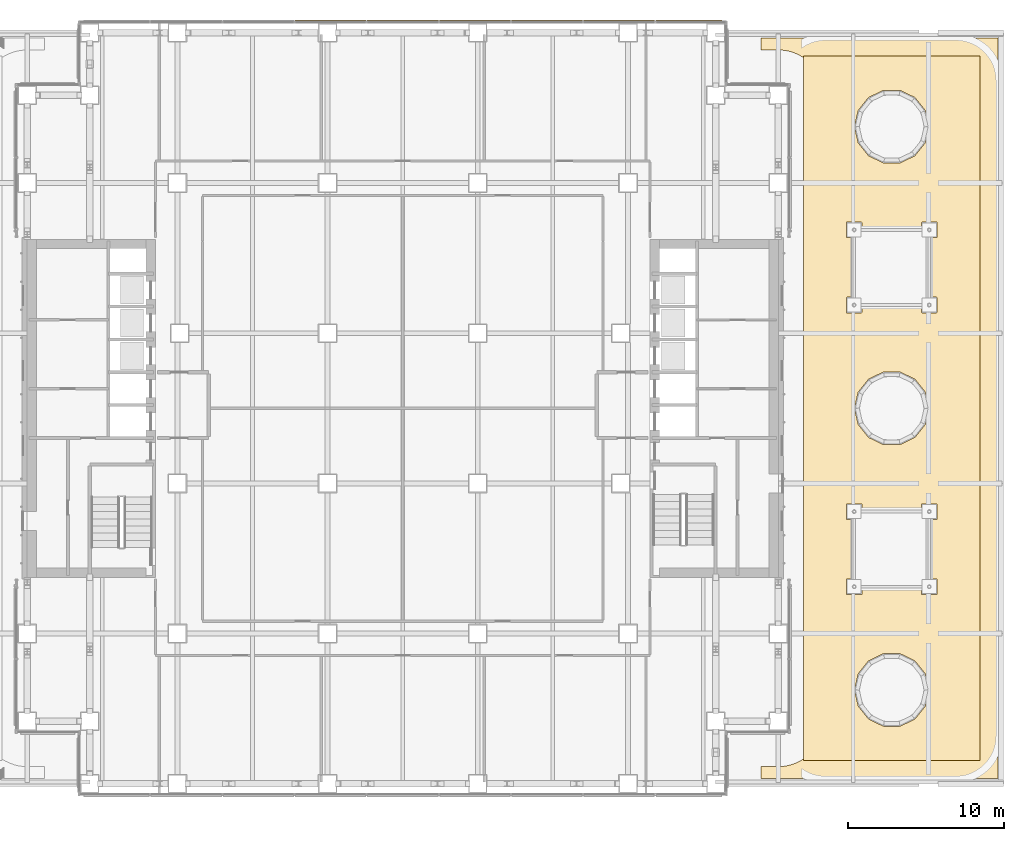
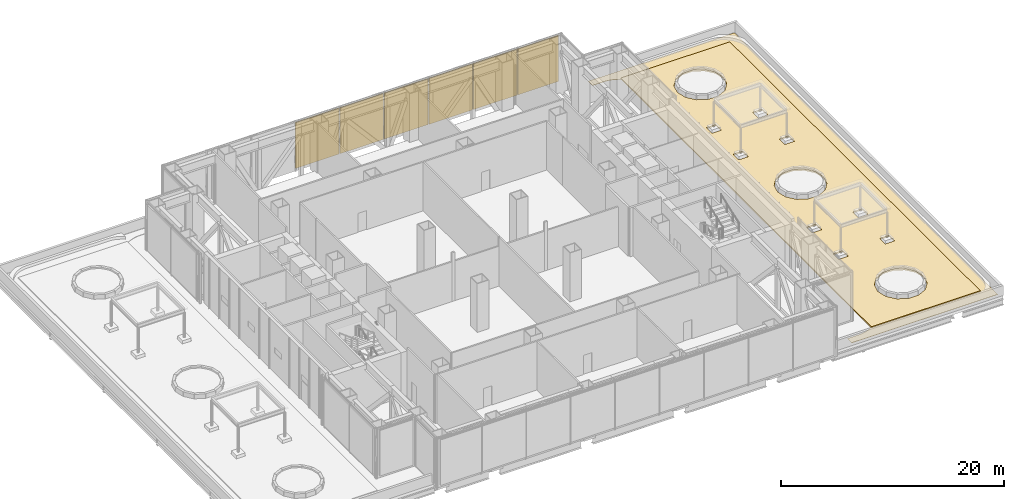
# One storey, part 37 of 39: 8 coverings.
"""IFC4 building model written with IfcOpenShell, lengths in metres."""

from ifc_helpers import new_model, si_unit, direction, frame, origin, origin_2d, place, context, subcontext, project, spatial, polyline, rectangle, outline, extrude, material, layer, layer_set, type_object, element, save


model = new_model("IFC4")

# Units and contexts
model_context = context("Model", 3, precision=1e-05, world=origin(), true_north=direction((0.0, 1.0)))
body_context = subcontext(model_context, "Body", "Model", "MODEL_VIEW")
ifc_project = project(units=[si_unit("LENGTHUNIT", "METRE"), si_unit("AREAUNIT", "SQUARE_METRE"), si_unit("VOLUMEUNIT", "CUBIC_METRE"), si_unit("PLANEANGLEUNIT", "RADIAN"), si_unit("MASSUNIT", "GRAM", prefix="KILO")], contexts=[model_context])

# Site, building, storey
site_placement = place(None, origin())
site = spatial("IfcSite", under=ifc_project, at=site_placement, CompositionType="ELEMENT")
building_placement = place(site_placement, origin())
building = spatial("IfcBuilding", under=site, at=building_placement, Name="Cobrizo Arcos Hotel Tower", CompositionType="ELEMENT")
storey_placement = place(building_placement, frame((0.0, 0.0, 33.5)))
storey = spatial("IfcBuildingStorey", under=building, at=storey_placement, Name="L06", CompositionType="ELEMENT", Elevation=33.5)

# Coverings
ifc_material_1 = material(Name="Aluminium 6063-T6 anodised bronze", Category="aluminium")
covering_type_1 = type_object("IfcCoveringType", Name="LV-1 plant louvre band", PredefinedType="CLADDING", material=ifc_material_1)
covering_1_placement = place(storey_placement, frame((18.29443359375, 24.7548828125, 0.25), z_axis=(0.0, 0.0, 1.0), x_axis=(-1.0, 0.0, 0.0)))
element("IfcCovering", 1, at=covering_1_placement, inside=storey, type_object=covering_type_1, Name="louvre band 342", PredefinedType="CLADDING", context=body_context, shape_type="SweptSolid", body=[
    extrude(rectangle(XDim=4.211181640625, YDim=0.1201171875, at=origin_2d()), origin(), (0.0, 0.0, 1.0), 5.0),
])
for number, where, z_axis, x_axis, name in (
    (2, (13.833251953125, 24.7548828125, 0.25), (0.0, 0.0, 1.0), (-1.0, 0.0, 0.0), "louvre band 343"),
    (3, (9.22216796875, 24.7548828125, 0.25), (0.0, 0.0, 1.0), (-1.0, 0.0, 0.0), "louvre band 344"),
    (4, (4.611083984375, 24.7548828125, 0.25), (0.0, 0.0, 1.0), (-1.0, 0.0, 0.0), "louvre band 345"),
    (5, (0.0, 24.7548828125, 0.25), (0.0, 0.0, 1.0), (-1.0, 0.0, 0.0), "louvre band 346"),
    (6, (-4.611083984375, 24.7548828125, 0.25), (0.0, 0.0, 1.0), (-1.0, 0.0, 0.0), "louvre band 347"),
):
    element("IfcCovering", number, at=place(storey_placement, frame(where, z_axis=z_axis, x_axis=x_axis)), inside=storey, type_object=covering_type_1, Name=name, PredefinedType="CLADDING", context=body_context, shape_type="SweptSolid", body=[
        extrude(rectangle(XDim=4.51123046875, YDim=0.1201171875, at=origin_2d()), origin(), (0.0, 0.0, 1.0), 5.0),
    ])
ifc_material_2 = material(Name="Granite paving on sand bed", Category="masonry")
ifc_layer_1 = layer(ifc_material_2, 0.14990234375)
ifc_layer_set_1 = layer_set([ifc_layer_1], Name="PG-5 terrace paving 150")
covering_type_2 = type_object("IfcCoveringType", Name="PG-5 terrace paving 150", PredefinedType="FLOORING", material=ifc_layer_set_1)
covering_2_placement = place(storey_placement, origin())
element("IfcCovering", 7, at=covering_2_placement, inside=storey, type_object=covering_type_2, Name="Terrace paving 1", PredefinedType="FLOORING", context=body_context, shape_type="SweptSolid", body=[
    extrude(outline(polyline([(36.89990234375, -22.5), (25.60009765625, -22.5), (25.60009765625, 22.5), (36.89990234375, 22.5), (36.89990234375, -22.5)]), holes=[polyline([(33.190185546875, -11.89892578125), (33.195068359375, -11.89990234375), (33.199951171875, -11.89990234375), (34.10009765625, -11.89990234375), (34.10498046875, -11.89990234375), (34.10986328125, -11.89892578125), (34.114501953125, -11.897705078125), (34.119140625, -11.896240234375), (34.12353515625, -11.89404296875), (34.127685546875, -11.8916015625), (34.131591796875, -11.888671875), (34.135498046875, -11.885498046875), (34.138671875, -11.881591796875), (34.1416015625, -11.877685546875), (34.14404296875, -11.87353515625), (34.146240234375, -11.869140625), (34.147705078125, -11.864501953125), (34.14892578125, -11.85986328125), (34.14990234375, -11.85498046875), (34.14990234375, -11.85009765625), (34.14990234375, -10.949951171875), (34.14990234375, -10.945068359375), (34.14892578125, -10.940185546875), (34.147705078125, -10.935546875), (34.146240234375, -10.930908203125), (34.14404296875, -10.926513671875), (34.1416015625, -10.922119140625), (34.138671875, -10.918212890625), (34.135498046875, -10.91455078125), (34.131591796875, -10.911376953125), (34.127685546875, -10.908447265625), (34.12353515625, -10.906005859375), (34.119140625, -10.90380859375), (34.114501953125, -10.902099609375), (34.10986328125, -10.90087890625), (34.10498046875, -10.900146484375), (34.10009765625, -10.89990234375), (33.199951171875, -10.89990234375), (33.195068359375, -10.900146484375), (33.190185546875, -10.90087890625), (33.185546875, -10.902099609375), (33.180908203125, -10.90380859375), (33.176513671875, -10.906005859375), (33.172119140625, -10.908447265625), (33.168212890625, -10.911376953125), (33.16455078125, -10.91455078125), (33.161376953125, -10.918212890625), (33.158447265625, -10.922119140625), (33.156005859375, -10.926513671875), (33.15380859375, -10.930908203125), (33.152099609375, -10.935546875), (33.15087890625, -10.940185546875), (33.150146484375, -10.945068359375), (33.14990234375, -10.949951171875), (33.14990234375, -11.85009765625), (33.150146484375, -11.85498046875), (33.15087890625, -11.85986328125), (33.152099609375, -11.864501953125), (33.15380859375, -11.869140625), (33.156005859375, -11.87353515625), (33.158447265625, -11.877685546875), (33.161376953125, -11.881591796875), (33.16455078125, -11.885498046875), (33.168212890625, -11.888671875), (33.172119140625, -11.8916015625), (33.176513671875, -11.89404296875), (33.180908203125, -11.896240234375), (33.185546875, -11.897705078125), (33.190185546875, -11.89892578125)]), polyline([(33.185546875, 10.902099609375), (33.190185546875, 10.90087890625), (33.195068359375, 10.900146484375), (33.199951171875, 10.89990234375), (34.10009765625, 10.89990234375), (34.10498046875, 10.900146484375), (34.10986328125, 10.90087890625), (34.114501953125, 10.902099609375), (34.119140625, 10.90380859375), (34.12353515625, 10.906005859375), (34.127685546875, 10.908447265625), (34.131591796875, 10.911376953125), (34.135498046875, 10.91455078125), (34.138671875, 10.918212890625), (34.1416015625, 10.922119140625), (34.14404296875, 10.926513671875), (34.146240234375, 10.930908203125), (34.147705078125, 10.935546875), (34.14892578125, 10.940185546875), (34.14990234375, 10.945068359375), (34.14990234375, 10.949951171875), (34.14990234375, 11.85009765625), (34.14990234375, 11.85498046875), (34.14892578125, 11.85986328125), (34.147705078125, 11.864501953125), (34.146240234375, 11.869140625), (34.14404296875, 11.87353515625), (34.1416015625, 11.877685546875), (34.138671875, 11.881591796875), (34.135498046875, 11.885498046875), (34.131591796875, 11.888671875), (34.127685546875, 11.8916015625), (34.12353515625, 11.89404296875), (34.119140625, 11.896240234375), (34.114501953125, 11.897705078125), (34.10986328125, 11.89892578125), (34.10498046875, 11.89990234375), (34.10009765625, 11.89990234375), (33.199951171875, 11.89990234375), (33.195068359375, 11.89990234375), (33.190185546875, 11.89892578125), (33.185546875, 11.897705078125), (33.180908203125, 11.896240234375), (33.176513671875, 11.89404296875), (33.172119140625, 11.8916015625), (33.168212890625, 11.888671875), (33.16455078125, 11.885498046875), (33.161376953125, 11.881591796875), (33.158447265625, 11.877685546875), (33.156005859375, 11.87353515625), (33.15380859375, 11.869140625), (33.152099609375, 11.864501953125), (33.15087890625, 11.85986328125), (33.150146484375, 11.85498046875), (33.14990234375, 11.85009765625), (33.14990234375, 10.949951171875), (33.150146484375, 10.945068359375), (33.15087890625, 10.940185546875), (33.152099609375, 10.935546875), (33.15380859375, 10.930908203125), (33.156005859375, 10.926513671875), (33.158447265625, 10.922119140625), (33.161376953125, 10.918212890625), (33.16455078125, 10.91455078125), (33.168212890625, 10.911376953125), (33.172119140625, 10.908447265625), (33.176513671875, 10.906005859375), (33.180908203125, 10.90380859375), (33.185546875, 10.902099609375)]), polyline([(33.185546875, 6.102294921875), (33.190185546875, 6.10107421875), (33.195068359375, 6.10009765625), (33.199951171875, 6.10009765625), (34.10009765625, 6.10009765625), (34.10498046875, 6.10009765625), (34.10986328125, 6.10107421875), (34.114501953125, 6.102294921875), (34.119140625, 6.103759765625), (34.12353515625, 6.10595703125), (34.127685546875, 6.1083984375), (34.131591796875, 6.111328125), (34.135498046875, 6.114501953125), (34.138671875, 6.118408203125), (34.1416015625, 6.122314453125), (34.14404296875, 6.12646484375), (34.146240234375, 6.130859375), (34.147705078125, 6.135498046875), (34.14892578125, 6.14013671875), (34.14990234375, 6.14501953125), (34.14990234375, 6.14990234375), (34.14990234375, 7.050048828125), (34.14990234375, 7.054931640625), (34.14892578125, 7.059814453125), (34.147705078125, 7.064453125), (34.146240234375, 7.069091796875), (34.14404296875, 7.073486328125), (34.1416015625, 7.077880859375), (34.138671875, 7.081787109375), (34.135498046875, 7.08544921875), (34.131591796875, 7.088623046875), (34.127685546875, 7.091552734375), (34.12353515625, 7.093994140625), (34.119140625, 7.09619140625), (34.114501953125, 7.097900390625), (34.10986328125, 7.09912109375), (34.10498046875, 7.099853515625), (34.10009765625, 7.10009765625), (33.199951171875, 7.10009765625), (33.195068359375, 7.099853515625), (33.190185546875, 7.09912109375), (33.185546875, 7.097900390625), (33.180908203125, 7.09619140625), (33.176513671875, 7.093994140625), (33.172119140625, 7.091552734375), (33.168212890625, 7.088623046875), (33.16455078125, 7.08544921875), (33.161376953125, 7.081787109375), (33.158447265625, 7.077880859375), (33.156005859375, 7.073486328125), (33.15380859375, 7.069091796875), (33.152099609375, 7.064453125), (33.15087890625, 7.059814453125), (33.150146484375, 7.054931640625), (33.14990234375, 7.050048828125), (33.14990234375, 6.14990234375), (33.150146484375, 6.14501953125), (33.15087890625, 6.14013671875), (33.152099609375, 6.135498046875), (33.15380859375, 6.130859375), (33.156005859375, 6.12646484375), (33.158447265625, 6.122314453125), (33.161376953125, 6.118408203125), (33.16455078125, 6.114501953125), (33.168212890625, 6.111328125), (33.172119140625, 6.1083984375), (33.176513671875, 6.10595703125), (33.180908203125, 6.103759765625), (33.185546875, 6.102294921875)]), polyline([(33.185546875, -7.097900390625), (33.190185546875, -7.09912109375), (33.195068359375, -7.099853515625), (33.199951171875, -7.10009765625), (34.10009765625, -7.10009765625), (34.10498046875, -7.099853515625), (34.10986328125, -7.09912109375), (34.114501953125, -7.097900390625), (34.119140625, -7.09619140625), (34.12353515625, -7.093994140625), (34.127685546875, -7.091552734375), (34.131591796875, -7.088623046875), (34.135498046875, -7.08544921875), (34.138671875, -7.081787109375), (34.1416015625, -7.077880859375), (34.14404296875, -7.073486328125), (34.146240234375, -7.069091796875), (34.147705078125, -7.064453125), (34.14892578125, -7.059814453125), (34.14990234375, -7.054931640625), (34.14990234375, -7.050048828125), (34.14990234375, -6.14990234375), (34.14990234375, -6.14501953125), (34.14892578125, -6.14013671875), (34.147705078125, -6.135498046875), (34.146240234375, -6.130859375), (34.14404296875, -6.12646484375), (34.1416015625, -6.122314453125), (34.138671875, -6.118408203125), (34.135498046875, -6.114501953125), (34.131591796875, -6.111328125), (34.127685546875, -6.1083984375), (34.12353515625, -6.10595703125), (34.119140625, -6.103759765625), (34.114501953125, -6.102294921875), (34.10986328125, -6.10107421875), (34.10498046875, -6.10009765625), (34.10009765625, -6.10009765625), (33.199951171875, -6.10009765625), (33.195068359375, -6.10009765625), (33.190185546875, -6.10107421875), (33.185546875, -6.102294921875), (33.180908203125, -6.103759765625), (33.176513671875, -6.10595703125), (33.172119140625, -6.1083984375), (33.168212890625, -6.111328125), (33.16455078125, -6.114501953125), (33.161376953125, -6.118408203125), (33.158447265625, -6.122314453125), (33.156005859375, -6.12646484375), (33.15380859375, -6.130859375), (33.152099609375, -6.135498046875), (33.15087890625, -6.14013671875), (33.150146484375, -6.14501953125), (33.14990234375, -6.14990234375), (33.14990234375, -7.050048828125), (33.150146484375, -7.054931640625), (33.15087890625, -7.059814453125), (33.152099609375, -7.064453125), (33.15380859375, -7.069091796875), (33.156005859375, -7.073486328125), (33.158447265625, -7.077880859375), (33.161376953125, -7.081787109375), (33.16455078125, -7.08544921875), (33.168212890625, -7.088623046875), (33.172119140625, -7.091552734375), (33.176513671875, -7.093994140625), (33.180908203125, -7.09619140625), (33.185546875, -7.097900390625)]), polyline([(33.39306640625, -1.023193359375), (33.398681640625, -1.008544921875), (33.402587890625, -0.993408203125), (33.62060546875, -0.038818359375), (33.623291015625, -0.0234375), (33.624755859375, -0.0078125), (33.624755859375, 0.0078125), (33.623291015625, 0.0234375), (33.62060546875, 0.038818359375), (33.402587890625, 0.993408203125), (33.398681640625, 1.008544921875), (33.39306640625, 1.023193359375), (33.38623046875, 1.03759765625), (33.378173828125, 1.051025390625), (33.368896484375, 1.063720703125), (32.758544921875, 1.8291015625), (32.748291015625, 1.841064453125), (32.73681640625, 1.851806640625), (32.724609375, 1.861572265625), (32.71142578125, 1.870361328125), (32.697509765625, 1.877685546875), (31.8154296875, 2.302490234375), (31.801025390625, 2.30859375), (31.7861328125, 2.3134765625), (31.770751953125, 2.31689453125), (31.755126953125, 2.319091796875), (31.739501953125, 2.31982421875), (30.760498046875, 2.31982421875), (30.744873046875, 2.319091796875), (30.729248046875, 2.31689453125), (30.7138671875, 2.3134765625), (30.698974609375, 2.30859375), (30.6845703125, 2.302490234375), (29.802490234375, 1.877685546875), (29.78857421875, 1.870361328125), (29.775390625, 1.861572265625), (29.76318359375, 1.851806640625), (29.751708984375, 1.841064453125), (29.741455078125, 1.8291015625), (29.131103515625, 1.063720703125), (29.121826171875, 1.051025390625), (29.11376953125, 1.03759765625), (29.10693359375, 1.023193359375), (29.101318359375, 1.008544921875), (29.097412109375, 0.993408203125), (28.87939453125, 0.038818359375), (28.876708984375, 0.0234375), (28.875244140625, 0.0078125), (28.875244140625, -0.0078125), (28.876708984375, -0.0234375), (28.87939453125, -0.038818359375), (29.097412109375, -0.993408203125), (29.101318359375, -1.008544921875), (29.10693359375, -1.023193359375), (29.11376953125, -1.03759765625), (29.121826171875, -1.051025390625), (29.131103515625, -1.063720703125), (29.741455078125, -1.8291015625), (29.751708984375, -1.841064453125), (29.76318359375, -1.851806640625), (29.775390625, -1.861572265625), (29.78857421875, -1.870361328125), (29.802490234375, -1.877685546875), (30.6845703125, -2.302490234375), (30.698974609375, -2.30859375), (30.7138671875, -2.3134765625), (30.729248046875, -2.31689453125), (30.744873046875, -2.319091796875), (30.760498046875, -2.31982421875), (31.739501953125, -2.31982421875), (31.755126953125, -2.319091796875), (31.770751953125, -2.31689453125), (31.7861328125, -2.3134765625), (31.801025390625, -2.30859375), (31.8154296875, -2.302490234375), (32.697509765625, -1.877685546875), (32.71142578125, -1.870361328125), (32.724609375, -1.861572265625), (32.73681640625, -1.851806640625), (32.748291015625, -1.841064453125), (32.758544921875, -1.8291015625), (33.368896484375, -1.063720703125), (33.378173828125, -1.051025390625), (33.38623046875, -1.03759765625), (33.39306640625, -1.023193359375)]), polyline([(33.39306640625, -19.023193359375), (33.398681640625, -19.008544921875), (33.402587890625, -18.993408203125), (33.62060546875, -18.038818359375), (33.623291015625, -18.0234375), (33.624755859375, -18.0078125), (33.624755859375, -17.9921875), (33.623291015625, -17.9765625), (33.62060546875, -17.961181640625), (33.402587890625, -17.006591796875), (33.398681640625, -16.991455078125), (33.39306640625, -16.976806640625), (33.38623046875, -16.96240234375), (33.378173828125, -16.948974609375), (33.368896484375, -16.936279296875), (32.758544921875, -16.1708984375), (32.748291015625, -16.158935546875), (32.73681640625, -16.148193359375), (32.724609375, -16.138427734375), (32.71142578125, -16.129638671875), (32.697509765625, -16.122314453125), (31.8154296875, -15.697509765625), (31.801025390625, -15.69140625), (31.7861328125, -15.6865234375), (31.770751953125, -15.68310546875), (31.755126953125, -15.680908203125), (31.739501953125, -15.68017578125), (30.760498046875, -15.68017578125), (30.744873046875, -15.680908203125), (30.729248046875, -15.68310546875), (30.7138671875, -15.6865234375), (30.698974609375, -15.69140625), (30.6845703125, -15.697509765625), (29.802490234375, -16.122314453125), (29.78857421875, -16.129638671875), (29.775390625, -16.138427734375), (29.76318359375, -16.148193359375), (29.751708984375, -16.158935546875), (29.741455078125, -16.1708984375), (29.131103515625, -16.936279296875), (29.121826171875, -16.948974609375), (29.11376953125, -16.96240234375), (29.10693359375, -16.976806640625), (29.101318359375, -16.991455078125), (29.097412109375, -17.006591796875), (28.87939453125, -17.961181640625), (28.876708984375, -17.9765625), (28.875244140625, -17.9921875), (28.875244140625, -18.0078125), (28.876708984375, -18.0234375), (28.87939453125, -18.038818359375), (29.097412109375, -18.993408203125), (29.101318359375, -19.008544921875), (29.10693359375, -19.023193359375), (29.11376953125, -19.03759765625), (29.121826171875, -19.051025390625), (29.131103515625, -19.063720703125), (29.741455078125, -19.8291015625), (29.751708984375, -19.841064453125), (29.76318359375, -19.851806640625), (29.775390625, -19.861572265625), (29.78857421875, -19.870361328125), (29.802490234375, -19.877685546875), (30.6845703125, -20.302490234375), (30.698974609375, -20.30859375), (30.7138671875, -20.3134765625), (30.729248046875, -20.31689453125), (30.744873046875, -20.319091796875), (30.760498046875, -20.31982421875), (31.739501953125, -20.31982421875), (31.755126953125, -20.319091796875), (31.770751953125, -20.31689453125), (31.7861328125, -20.3134765625), (31.801025390625, -20.30859375), (31.8154296875, -20.302490234375), (32.697509765625, -19.877685546875), (32.71142578125, -19.870361328125), (32.724609375, -19.861572265625), (32.73681640625, -19.851806640625), (32.748291015625, -19.841064453125), (32.758544921875, -19.8291015625), (33.368896484375, -19.063720703125), (33.378173828125, -19.051025390625), (33.38623046875, -19.03759765625), (33.39306640625, -19.023193359375)]), polyline([(33.38623046875, 16.96240234375), (33.39306640625, 16.976806640625), (33.398681640625, 16.991455078125), (33.402587890625, 17.006591796875), (33.62060546875, 17.961181640625), (33.623291015625, 17.9765625), (33.624755859375, 17.9921875), (33.624755859375, 18.0078125), (33.623291015625, 18.0234375), (33.62060546875, 18.038818359375), (33.402587890625, 18.993408203125), (33.398681640625, 19.008544921875), (33.39306640625, 19.023193359375), (33.38623046875, 19.03759765625), (33.378173828125, 19.051025390625), (33.368896484375, 19.063720703125), (32.758544921875, 19.8291015625), (32.748291015625, 19.841064453125), (32.73681640625, 19.851806640625), (32.724609375, 19.861572265625), (32.71142578125, 19.870361328125), (32.697509765625, 19.877685546875), (31.8154296875, 20.302490234375), (31.801025390625, 20.30859375), (31.7861328125, 20.3134765625), (31.770751953125, 20.31689453125), (31.755126953125, 20.319091796875), (31.739501953125, 20.31982421875), (30.760498046875, 20.31982421875), (30.744873046875, 20.319091796875), (30.729248046875, 20.31689453125), (30.7138671875, 20.3134765625), (30.698974609375, 20.30859375), (30.6845703125, 20.302490234375), (29.802490234375, 19.877685546875), (29.78857421875, 19.870361328125), (29.775390625, 19.861572265625), (29.76318359375, 19.851806640625), (29.751708984375, 19.841064453125), (29.741455078125, 19.8291015625), (29.131103515625, 19.063720703125), (29.121826171875, 19.051025390625), (29.11376953125, 19.03759765625), (29.10693359375, 19.023193359375), (29.101318359375, 19.008544921875), (29.097412109375, 18.993408203125), (28.87939453125, 18.038818359375), (28.876708984375, 18.0234375), (28.875244140625, 18.0078125), (28.875244140625, 17.9921875), (28.876708984375, 17.9765625), (28.87939453125, 17.961181640625), (29.097412109375, 17.006591796875), (29.101318359375, 16.991455078125), (29.10693359375, 16.976806640625), (29.11376953125, 16.96240234375), (29.121826171875, 16.948974609375), (29.131103515625, 16.936279296875), (29.741455078125, 16.1708984375), (29.751708984375, 16.158935546875), (29.76318359375, 16.148193359375), (29.775390625, 16.138427734375), (29.78857421875, 16.129638671875), (29.802490234375, 16.122314453125), (30.6845703125, 15.697509765625), (30.698974609375, 15.69140625), (30.7138671875, 15.6865234375), (30.729248046875, 15.68310546875), (30.744873046875, 15.680908203125), (30.760498046875, 15.68017578125), (31.739501953125, 15.68017578125), (31.755126953125, 15.680908203125), (31.770751953125, 15.68310546875), (31.7861328125, 15.6865234375), (31.801025390625, 15.69140625), (31.8154296875, 15.697509765625), (32.697509765625, 16.122314453125), (32.71142578125, 16.129638671875), (32.724609375, 16.138427734375), (32.73681640625, 16.148193359375), (32.748291015625, 16.158935546875), (32.758544921875, 16.1708984375), (33.368896484375, 16.936279296875), (33.378173828125, 16.948974609375), (33.38623046875, 16.96240234375)]), polyline([(28.385498046875, -7.097900390625), (28.39013671875, -7.09912109375), (28.39501953125, -7.099853515625), (28.39990234375, -7.10009765625), (29.300048828125, -7.10009765625), (29.304931640625, -7.099853515625), (29.309814453125, -7.09912109375), (29.314453125, -7.097900390625), (29.319091796875, -7.09619140625), (29.323486328125, -7.093994140625), (29.327880859375, -7.091552734375), (29.331787109375, -7.088623046875), (29.33544921875, -7.08544921875), (29.338623046875, -7.081787109375), (29.341552734375, -7.077880859375), (29.343994140625, -7.073486328125), (29.34619140625, -7.069091796875), (29.347900390625, -7.064453125), (29.34912109375, -7.059814453125), (29.349853515625, -7.054931640625), (29.35009765625, -7.050048828125), (29.35009765625, -6.14990234375), (29.349853515625, -6.14501953125), (29.34912109375, -6.14013671875), (29.347900390625, -6.135498046875), (29.34619140625, -6.130859375), (29.343994140625, -6.12646484375), (29.341552734375, -6.122314453125), (29.338623046875, -6.118408203125), (29.33544921875, -6.114501953125), (29.331787109375, -6.111328125), (29.327880859375, -6.1083984375), (29.323486328125, -6.10595703125), (29.319091796875, -6.103759765625), (29.314453125, -6.102294921875), (29.309814453125, -6.10107421875), (29.304931640625, -6.10009765625), (29.300048828125, -6.10009765625), (28.39990234375, -6.10009765625), (28.39501953125, -6.10009765625), (28.39013671875, -6.10107421875), (28.385498046875, -6.102294921875), (28.380859375, -6.103759765625), (28.37646484375, -6.10595703125), (28.372314453125, -6.1083984375), (28.368408203125, -6.111328125), (28.364501953125, -6.114501953125), (28.361328125, -6.118408203125), (28.3583984375, -6.122314453125), (28.35595703125, -6.12646484375), (28.353759765625, -6.130859375), (28.352294921875, -6.135498046875), (28.35107421875, -6.14013671875), (28.35009765625, -6.14501953125), (28.35009765625, -6.14990234375), (28.35009765625, -7.050048828125), (28.35009765625, -7.054931640625), (28.35107421875, -7.059814453125), (28.352294921875, -7.064453125), (28.353759765625, -7.069091796875), (28.35595703125, -7.073486328125), (28.3583984375, -7.077880859375), (28.361328125, -7.081787109375), (28.364501953125, -7.08544921875), (28.368408203125, -7.088623046875), (28.372314453125, -7.091552734375), (28.37646484375, -7.093994140625), (28.380859375, -7.09619140625), (28.385498046875, -7.097900390625)]), polyline([(28.39013671875, 10.90087890625), (28.39501953125, 10.900146484375), (28.39990234375, 10.89990234375), (29.300048828125, 10.89990234375), (29.304931640625, 10.900146484375), (29.309814453125, 10.90087890625), (29.314453125, 10.902099609375), (29.319091796875, 10.90380859375), (29.323486328125, 10.906005859375), (29.327880859375, 10.908447265625), (29.331787109375, 10.911376953125), (29.33544921875, 10.91455078125), (29.338623046875, 10.918212890625), (29.341552734375, 10.922119140625), (29.343994140625, 10.926513671875), (29.34619140625, 10.930908203125), (29.347900390625, 10.935546875), (29.34912109375, 10.940185546875), (29.349853515625, 10.945068359375), (29.35009765625, 10.949951171875), (29.35009765625, 11.85009765625), (29.349853515625, 11.85498046875), (29.34912109375, 11.85986328125), (29.347900390625, 11.864501953125), (29.34619140625, 11.869140625), (29.343994140625, 11.87353515625), (29.341552734375, 11.877685546875), (29.338623046875, 11.881591796875), (29.33544921875, 11.885498046875), (29.331787109375, 11.888671875), (29.327880859375, 11.8916015625), (29.323486328125, 11.89404296875), (29.319091796875, 11.896240234375), (29.314453125, 11.897705078125), (29.309814453125, 11.89892578125), (29.304931640625, 11.89990234375), (29.300048828125, 11.89990234375), (28.39990234375, 11.89990234375), (28.39501953125, 11.89990234375), (28.39013671875, 11.89892578125), (28.385498046875, 11.897705078125), (28.380859375, 11.896240234375), (28.37646484375, 11.89404296875), (28.372314453125, 11.8916015625), (28.368408203125, 11.888671875), (28.364501953125, 11.885498046875), (28.361328125, 11.881591796875), (28.3583984375, 11.877685546875), (28.35595703125, 11.87353515625), (28.353759765625, 11.869140625), (28.352294921875, 11.864501953125), (28.35107421875, 11.85986328125), (28.35009765625, 11.85498046875), (28.35009765625, 11.85009765625), (28.35009765625, 10.949951171875), (28.35009765625, 10.945068359375), (28.35107421875, 10.940185546875), (28.352294921875, 10.935546875), (28.353759765625, 10.930908203125), (28.35595703125, 10.926513671875), (28.3583984375, 10.922119140625), (28.361328125, 10.918212890625), (28.364501953125, 10.91455078125), (28.368408203125, 10.911376953125), (28.372314453125, 10.908447265625), (28.37646484375, 10.906005859375), (28.380859375, 10.90380859375), (28.385498046875, 10.902099609375), (28.39013671875, 10.90087890625)]), polyline([(28.39013671875, -11.89892578125), (28.39501953125, -11.89990234375), (28.39990234375, -11.89990234375), (29.300048828125, -11.89990234375), (29.304931640625, -11.89990234375), (29.309814453125, -11.89892578125), (29.314453125, -11.897705078125), (29.319091796875, -11.896240234375), (29.323486328125, -11.89404296875), (29.327880859375, -11.8916015625), (29.331787109375, -11.888671875), (29.33544921875, -11.885498046875), (29.338623046875, -11.881591796875), (29.341552734375, -11.877685546875), (29.343994140625, -11.87353515625), (29.34619140625, -11.869140625), (29.347900390625, -11.864501953125), (29.34912109375, -11.85986328125), (29.349853515625, -11.85498046875), (29.35009765625, -11.85009765625), (29.35009765625, -10.949951171875), (29.349853515625, -10.945068359375), (29.34912109375, -10.940185546875), (29.347900390625, -10.935546875), (29.34619140625, -10.930908203125), (29.343994140625, -10.926513671875), (29.341552734375, -10.922119140625), (29.338623046875, -10.918212890625), (29.33544921875, -10.91455078125), (29.331787109375, -10.911376953125), (29.327880859375, -10.908447265625), (29.323486328125, -10.906005859375), (29.319091796875, -10.90380859375), (29.314453125, -10.902099609375), (29.309814453125, -10.90087890625), (29.304931640625, -10.900146484375), (29.300048828125, -10.89990234375), (28.39990234375, -10.89990234375), (28.39501953125, -10.900146484375), (28.39013671875, -10.90087890625), (28.385498046875, -10.902099609375), (28.380859375, -10.90380859375), (28.37646484375, -10.906005859375), (28.372314453125, -10.908447265625), (28.368408203125, -10.911376953125), (28.364501953125, -10.91455078125), (28.361328125, -10.918212890625), (28.3583984375, -10.922119140625), (28.35595703125, -10.926513671875), (28.353759765625, -10.930908203125), (28.352294921875, -10.935546875), (28.35107421875, -10.940185546875), (28.35009765625, -10.945068359375), (28.35009765625, -10.949951171875), (28.35009765625, -11.85009765625), (28.35009765625, -11.85498046875), (28.35107421875, -11.85986328125), (28.352294921875, -11.864501953125), (28.353759765625, -11.869140625), (28.35595703125, -11.87353515625), (28.3583984375, -11.877685546875), (28.361328125, -11.881591796875), (28.364501953125, -11.885498046875), (28.368408203125, -11.888671875), (28.372314453125, -11.8916015625), (28.37646484375, -11.89404296875), (28.380859375, -11.896240234375), (28.385498046875, -11.897705078125), (28.39013671875, -11.89892578125)]), polyline([(28.385498046875, 6.102294921875), (28.39013671875, 6.10107421875), (28.39501953125, 6.10009765625), (28.39990234375, 6.10009765625), (29.300048828125, 6.10009765625), (29.304931640625, 6.10009765625), (29.309814453125, 6.10107421875), (29.314453125, 6.102294921875), (29.319091796875, 6.103759765625), (29.323486328125, 6.10595703125), (29.327880859375, 6.1083984375), (29.331787109375, 6.111328125), (29.33544921875, 6.114501953125), (29.338623046875, 6.118408203125), (29.341552734375, 6.122314453125), (29.343994140625, 6.12646484375), (29.34619140625, 6.130859375), (29.347900390625, 6.135498046875), (29.34912109375, 6.14013671875), (29.349853515625, 6.14501953125), (29.35009765625, 6.14990234375), (29.35009765625, 7.050048828125), (29.349853515625, 7.054931640625), (29.34912109375, 7.059814453125), (29.347900390625, 7.064453125), (29.34619140625, 7.069091796875), (29.343994140625, 7.073486328125), (29.341552734375, 7.077880859375), (29.338623046875, 7.081787109375), (29.33544921875, 7.08544921875), (29.331787109375, 7.088623046875), (29.327880859375, 7.091552734375), (29.323486328125, 7.093994140625), (29.319091796875, 7.09619140625), (29.314453125, 7.097900390625), (29.309814453125, 7.09912109375), (29.304931640625, 7.099853515625), (29.300048828125, 7.10009765625), (28.39990234375, 7.10009765625), (28.39501953125, 7.099853515625), (28.39013671875, 7.09912109375), (28.385498046875, 7.097900390625), (28.380859375, 7.09619140625), (28.37646484375, 7.093994140625), (28.372314453125, 7.091552734375), (28.368408203125, 7.088623046875), (28.364501953125, 7.08544921875), (28.361328125, 7.081787109375), (28.3583984375, 7.077880859375), (28.35595703125, 7.073486328125), (28.353759765625, 7.069091796875), (28.352294921875, 7.064453125), (28.35107421875, 7.059814453125), (28.35009765625, 7.054931640625), (28.35009765625, 7.050048828125), (28.35009765625, 6.14990234375), (28.35009765625, 6.14501953125), (28.35107421875, 6.14013671875), (28.352294921875, 6.135498046875), (28.353759765625, 6.130859375), (28.35595703125, 6.12646484375), (28.3583984375, 6.122314453125), (28.361328125, 6.118408203125), (28.364501953125, 6.114501953125), (28.368408203125, 6.111328125), (28.372314453125, 6.1083984375), (28.37646484375, 6.10595703125), (28.380859375, 6.103759765625), (28.385498046875, 6.102294921875)])]), origin(), (0.0, 0.0, 1.0), 0.14990234375),
])
ifc_material_3 = material(Name="Roof membrane TPO single ply")
ifc_layer_2 = layer(ifc_material_3, 0.0400390625)
ifc_layer_set_2 = layer_set([ifc_layer_2], Name="RC-1 roof covering")
covering_type_3 = type_object("IfcCoveringType", Name="RC-1 roof covering", PredefinedType="ROOFING", material=ifc_layer_set_2)
covering_3_placement = place(storey_placement, origin())
element("IfcCovering", 8, at=covering_3_placement, inside=storey, type_object=covering_type_3, Name="Roof covering L05 1", PredefinedType="ROOFING", context=body_context, shape_type="SweptSolid", body=[
    extrude(outline(polyline([(22.89990234375, -23.64990234375), (22.89990234375, -22.89990234375), (24.0, -22.89990234375), (24.2841796875, -22.885986328125), (24.565673828125, -22.84423828125), (24.841796875, -22.775146484375), (25.10986328125, -22.67919921875), (25.366943359375, -22.5576171875), (25.60009765625, -22.41796875), (25.60009765625, -22.5), (36.89990234375, -22.5), (36.89990234375, 22.5), (25.60009765625, 22.5), (25.60009765625, 22.41796875), (25.366943359375, 22.5576171875), (25.10986328125, 22.67919921875), (24.841796875, 22.775146484375), (24.565673828125, 22.84423828125), (24.2841796875, 22.885986328125), (24.0, 22.89990234375), (22.89990234375, 22.89990234375), (22.89990234375, 23.64990234375), (38.050048828125, 23.64990234375), (38.050048828125, -23.64990234375), (22.89990234375, -23.64990234375)])), origin(), (0.0, 0.0, 1.0), 0.0400390625),
])

save(model, "model.ifc")
